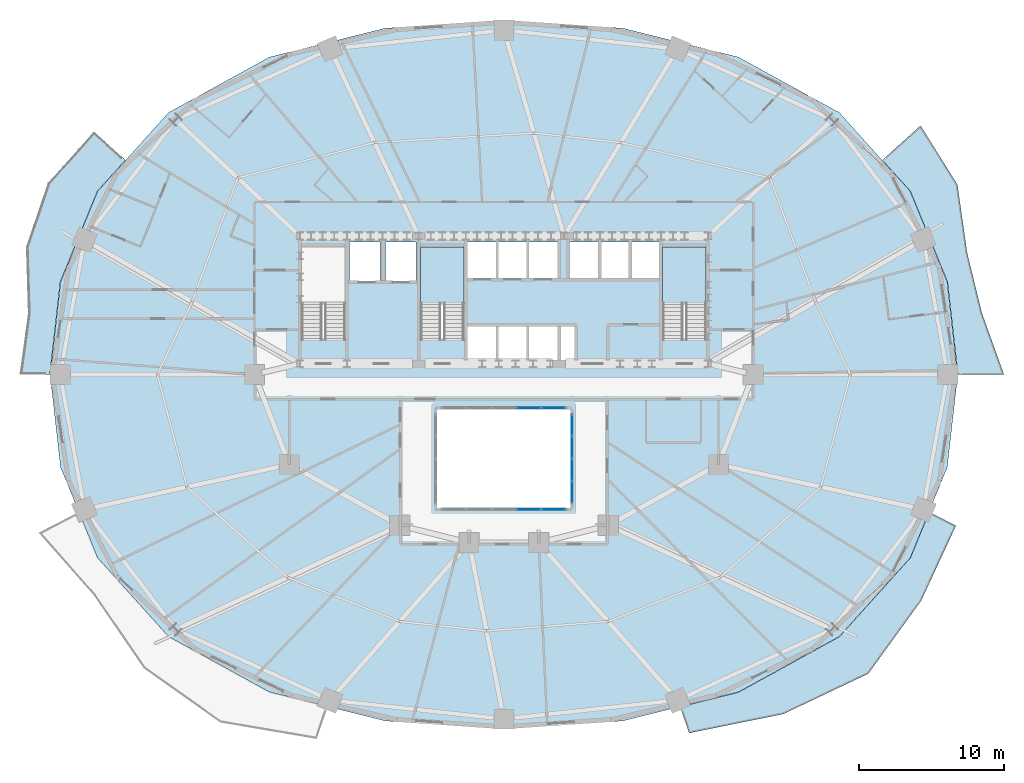
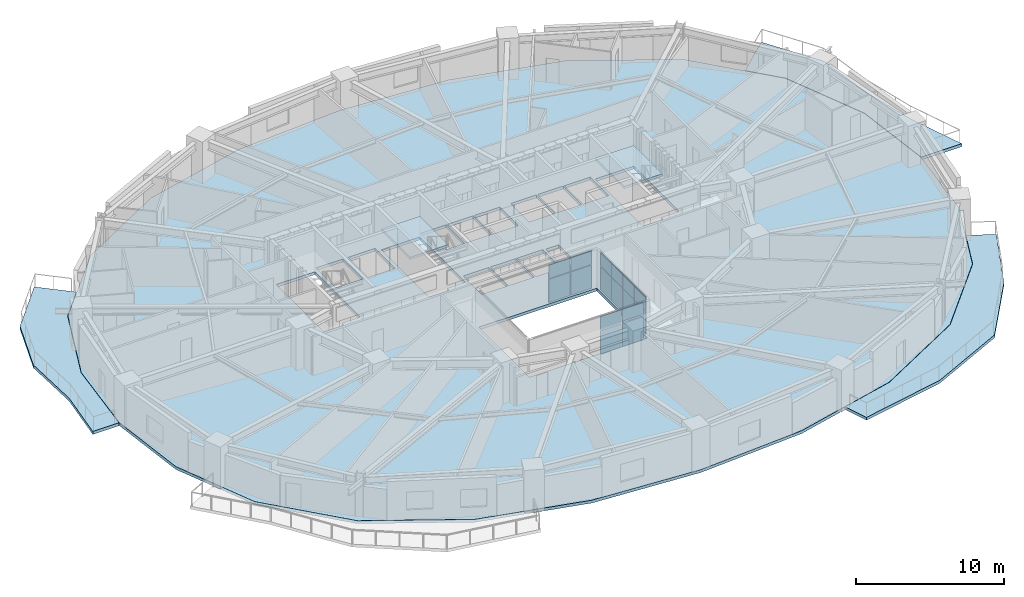
# One storey, part 8 of 17: 16 plates, 6 slabs, 5 elements without a shape of their own.
"""IFC4 building model written with IfcOpenShell, lengths in metres."""

from ifc_helpers import new_model, si_unit, direction, frame, origin, origin_2d, place, context, subcontext, project, spatial, polyline, rectangle, outline, extrude, material, layer, layer_set, type_object, element, aggregate, save


model = new_model("IFC4")

# Units and contexts
model_context = context("Model", 3, precision=1e-05, world=origin(), true_north=direction((0.0, 1.0)))
body_context = subcontext(model_context, "Body", "Model", "MODEL_VIEW")
ifc_project = project(units=[si_unit("LENGTHUNIT", "METRE"), si_unit("AREAUNIT", "SQUARE_METRE"), si_unit("VOLUMEUNIT", "CUBIC_METRE"), si_unit("PLANEANGLEUNIT", "RADIAN"), si_unit("MASSUNIT", "GRAM", prefix="KILO")], contexts=[model_context])

# Site, building, storey
site_placement = place(None, origin())
site = spatial("IfcSite", under=ifc_project, at=site_placement, CompositionType="ELEMENT")
building_placement = place(site_placement, origin())
building = spatial("IfcBuilding", under=site, at=building_placement, Name="Haldorwick Loom Tower", CompositionType="ELEMENT")
storey_placement = place(building_placement, frame((0.0, 0.0, 30.89990234375)))
storey = spatial("IfcBuildingStorey", under=building, at=storey_placement, Name="L07", CompositionType="ELEMENT", Elevation=30.89990234375)

# Curtain wall, plates
ifc_material_1 = material(Name="Thermally Broken Anodized Aluminium Curtain Wall Framing", Category="aluminium")
curtain_wall_type = type_object("IfcCurtainWallType", Name="ARC-CW-03", PredefinedType="NOTDEFINED", material=ifc_material_1)
curtain_wall_1_placement = place(storey_placement, origin())
curtain_wall_1 = element("IfcCurtainWall", 1, at=curtain_wall_1_placement, inside=storey, type_object=curtain_wall_type, Name="L07 Atrium Glazed Screen S", PredefinedType="NOTDEFINED")
ifc_material_2 = material(Name="Triple-Glazed Low-E Argon Insulated Glazing Unit", Category="glass")
ifc_layer_1 = layer(ifc_material_2, 0.04296875, Name="Triple-Glazed Low-E Argon Insulated Glazing Unit", Category="glass")
ifc_layer_set_1 = layer_set([ifc_layer_1], Name="Triple-Glazed Low-E Argon Insulated Glazing Unit")
plate_type = type_object("IfcPlateType", Name="ARC-CWP-03", PredefinedType="CURTAIN_PANEL", material=ifc_layer_set_1)
plate_1_placement = place(storey_placement, frame((39.423583984375, 16.699951171875, 0.066162109375), z_axis=(0.0, 0.0, 1.0), x_axis=(-1.0, 0.0, 0.0)))
plate_1 = element("IfcPlate", 2, at=plate_1_placement, type_object=plate_type, Name="CW-03 panel 1.1", PredefinedType="CURTAIN_PANEL", context=body_context, shape_type="SweptSolid", body=[
    extrude(rectangle(XDim=1.62109375, YDim=0.04296875, at=origin_2d()), origin(), (0.0, 0.0, 1.0), 1.90087890625),
])
plate_2_placement = place(storey_placement, frame((39.423583984375, 16.699951171875, 2.033203125), z_axis=(0.0, 0.0, 1.0), x_axis=(-1.0, 0.0, 0.0)))
plate_2 = element("IfcPlate", 3, at=plate_2_placement, type_object=plate_type, Name="CW-03 panel 1.2", PredefinedType="CURTAIN_PANEL", context=body_context, shape_type="SweptSolid", body=[
    extrude(rectangle(XDim=1.62109375, YDim=0.04296875, at=origin_2d()), origin(), (0.0, 0.0, 1.0), 1.111083984375),
])
plate_3_placement = place(storey_placement, frame((37.719970703125, 16.699951171875, 0.066162109375), z_axis=(0.0, 0.0, 1.0), x_axis=(-1.0, 0.0, 0.0)))
plate_3 = element("IfcPlate", 4, at=plate_3_placement, type_object=plate_type, Name="CW-03 panel 2.1", PredefinedType="CURTAIN_PANEL", context=body_context, shape_type="SweptSolid", body=[
    extrude(rectangle(XDim=1.654052734375, YDim=0.04296875, at=origin_2d()), origin(), (0.0, 0.0, 1.0), 1.90087890625),
])
plate_4_placement = place(storey_placement, frame((37.719970703125, 16.699951171875, 2.033203125), z_axis=(0.0, 0.0, 1.0), x_axis=(-1.0, 0.0, 0.0)))
plate_4 = element("IfcPlate", 5, at=plate_4_placement, type_object=plate_type, Name="CW-03 panel 2.2", PredefinedType="CURTAIN_PANEL", context=body_context, shape_type="SweptSolid", body=[
    extrude(rectangle(XDim=1.654052734375, YDim=0.04296875, at=origin_2d()), origin(), (0.0, 0.0, 1.0), 1.111083984375),
])
aggregate(curtain_wall_1, [plate_1, plate_2, plate_3, plate_4])

curtain_wall_2_placement = place(storey_placement, origin())
curtain_wall_2 = element("IfcCurtainWall", 6, at=curtain_wall_2_placement, inside=storey, type_object=curtain_wall_type, Name="L07 Atrium Glazed Screen N", PredefinedType="NOTDEFINED")
plate_5_placement = place(storey_placement, frame((37.719970703125, 23.699951171875, 0.066162109375), z_axis=(0.0, 0.0, 1.0), x_axis=(1.0, 0.0, 0.0)))
plate_5 = element("IfcPlate", 7, at=plate_5_placement, type_object=plate_type, Name="CW-03 panel 4.1", PredefinedType="CURTAIN_PANEL", context=body_context, shape_type="SweptSolid", body=[
    extrude(rectangle(XDim=1.654052734375, YDim=0.04296875, at=origin_2d()), origin(), (0.0, 0.0, 1.0), 1.90087890625),
])
plate_6_placement = place(storey_placement, frame((37.719970703125, 23.699951171875, 2.033203125), z_axis=(0.0, 0.0, 1.0), x_axis=(1.0, 0.0, 0.0)))
plate_6 = element("IfcPlate", 8, at=plate_6_placement, type_object=plate_type, Name="CW-03 panel 4.2", PredefinedType="CURTAIN_PANEL", context=body_context, shape_type="SweptSolid", body=[
    extrude(rectangle(XDim=1.654052734375, YDim=0.04296875, at=origin_2d()), origin(), (0.0, 0.0, 1.0), 1.111083984375),
])
plate_7_placement = place(storey_placement, frame((39.423583984375, 23.699951171875, 0.066162109375), z_axis=(0.0, 0.0, 1.0), x_axis=(1.0, 0.0, 0.0)))
plate_7 = element("IfcPlate", 9, at=plate_7_placement, type_object=plate_type, Name="CW-03 panel 5.1", PredefinedType="CURTAIN_PANEL", context=body_context, shape_type="SweptSolid", body=[
    extrude(rectangle(XDim=1.62109375, YDim=0.04296875, at=origin_2d()), origin(), (0.0, 0.0, 1.0), 1.90087890625),
])
plate_8_placement = place(storey_placement, frame((39.423583984375, 23.699951171875, 2.033203125), z_axis=(0.0, 0.0, 1.0), x_axis=(1.0, 0.0, 0.0)))
plate_8 = element("IfcPlate", 10, at=plate_8_placement, type_object=plate_type, Name="CW-03 panel 5.2", PredefinedType="CURTAIN_PANEL", context=body_context, shape_type="SweptSolid", body=[
    extrude(rectangle(XDim=1.62109375, YDim=0.04296875, at=origin_2d()), origin(), (0.0, 0.0, 1.0), 1.111083984375),
])
aggregate(curtain_wall_2, [plate_5, plate_6, plate_7, plate_8])

curtain_wall_3_placement = place(storey_placement, origin())
curtain_wall_3 = element("IfcCurtainWall", 11, at=curtain_wall_3_placement, inside=storey, type_object=curtain_wall_type, Name="L07 Atrium Glazed Screen E", PredefinedType="NOTDEFINED")
plate_9_placement = place(storey_placement, frame((40.699951171875, 22.508544921875, 0.066162109375), z_axis=(0.0, 0.0, 1.0), x_axis=(0.0, -1.0, 0.0)))
plate_9 = element("IfcPlate", 12, at=plate_9_placement, type_object=plate_type, Name="CW-03 panel 1.1", PredefinedType="CURTAIN_PANEL", context=body_context, shape_type="SweptSolid", body=[
    extrude(rectangle(XDim=1.450927734375, YDim=0.04296875, at=origin_2d()), origin(), (0.0, 0.0, 1.0), 1.90087890625),
])
plate_10_placement = place(storey_placement, frame((40.699951171875, 22.508544921875, 2.033203125), z_axis=(0.0, 0.0, 1.0), x_axis=(0.0, -1.0, 0.0)))
plate_10 = element("IfcPlate", 13, at=plate_10_placement, type_object=plate_type, Name="CW-03 panel 1.2", PredefinedType="CURTAIN_PANEL", context=body_context, shape_type="SweptSolid", body=[
    extrude(rectangle(XDim=1.450927734375, YDim=0.04296875, at=origin_2d()), origin(), (0.0, 0.0, 1.0), 1.111083984375),
])
plate_11_placement = place(storey_placement, frame((40.699951171875, 20.97509765625, 0.066162109375), z_axis=(0.0, 0.0, 1.0), x_axis=(0.0, -1.0, 0.0)))
plate_11 = element("IfcPlate", 14, at=plate_11_placement, type_object=plate_type, Name="CW-03 panel 2.1", PredefinedType="CURTAIN_PANEL", context=body_context, shape_type="SweptSolid", body=[
    extrude(rectangle(XDim=1.48388671875, YDim=0.04296875, at=origin_2d()), origin(), (0.0, 0.0, 1.0), 1.90087890625),
])
plate_12_placement = place(storey_placement, frame((40.699951171875, 20.97509765625, 2.033203125), z_axis=(0.0, 0.0, 1.0), x_axis=(0.0, -1.0, 0.0)))
plate_12 = element("IfcPlate", 15, at=plate_12_placement, type_object=plate_type, Name="CW-03 panel 2.2", PredefinedType="CURTAIN_PANEL", context=body_context, shape_type="SweptSolid", body=[
    extrude(rectangle(XDim=1.48388671875, YDim=0.04296875, at=origin_2d()), origin(), (0.0, 0.0, 1.0), 1.111083984375),
])
plate_13_placement = place(storey_placement, frame((40.699951171875, 19.425048828125, 0.066162109375), z_axis=(0.0, 0.0, 1.0), x_axis=(0.0, -1.0, 0.0)))
plate_13 = element("IfcPlate", 16, at=plate_13_placement, type_object=plate_type, Name="CW-03 panel 3.1", PredefinedType="CURTAIN_PANEL", context=body_context, shape_type="SweptSolid", body=[
    extrude(rectangle(XDim=1.48388671875, YDim=0.04296875, at=origin_2d()), origin(), (0.0, 0.0, 1.0), 1.90087890625),
])
plate_14_placement = place(storey_placement, frame((40.699951171875, 19.425048828125, 2.033203125), z_axis=(0.0, 0.0, 1.0), x_axis=(0.0, -1.0, 0.0)))
plate_14 = element("IfcPlate", 17, at=plate_14_placement, type_object=plate_type, Name="CW-03 panel 3.2", PredefinedType="CURTAIN_PANEL", context=body_context, shape_type="SweptSolid", body=[
    extrude(rectangle(XDim=1.48388671875, YDim=0.04296875, at=origin_2d()), origin(), (0.0, 0.0, 1.0), 1.111083984375),
])
plate_15_placement = place(storey_placement, frame((40.699951171875, 17.8916015625, 0.066162109375), z_axis=(0.0, 0.0, 1.0), x_axis=(0.0, -1.0, 0.0)))
plate_15 = element("IfcPlate", 18, at=plate_15_placement, type_object=plate_type, Name="CW-03 panel 4.1", PredefinedType="CURTAIN_PANEL", context=body_context, shape_type="SweptSolid", body=[
    extrude(rectangle(XDim=1.450927734375, YDim=0.04296875, at=origin_2d()), origin(), (0.0, 0.0, 1.0), 1.90087890625),
])
plate_16_placement = place(storey_placement, frame((40.699951171875, 17.8916015625, 2.033203125), z_axis=(0.0, 0.0, 1.0), x_axis=(0.0, -1.0, 0.0)))
plate_16 = element("IfcPlate", 19, at=plate_16_placement, type_object=plate_type, Name="CW-03 panel 4.2", PredefinedType="CURTAIN_PANEL", context=body_context, shape_type="SweptSolid", body=[
    extrude(rectangle(XDim=1.450927734375, YDim=0.04296875, at=origin_2d()), origin(), (0.0, 0.0, 1.0), 1.111083984375),
])
aggregate(curtain_wall_3, [plate_9, plate_10, plate_11, plate_12, plate_13, plate_14, plate_15, plate_16])

# Slabs
ifc_material_3 = material(Name="Concrete C40 (40 MPa)", Category="concrete")
ifc_layer_2 = layer(ifc_material_3, 0.239990234375, Name="Concrete C40 (40 MPa)", Category="concrete")
ifc_layer_set_2 = layer_set([ifc_layer_2], Name="Concrete C40 (40 MPa)")
slab_type_1 = type_object("IfcSlabType", Name="STR-SLB-BAL240", PredefinedType="FLOOR", material=ifc_layer_set_2)
slab_1_placement = place(storey_placement, frame((0.0, 0.0, -0.239990234375)))
element("IfcSlab", 20, at=slab_1_placement, inside=storey, type_object=slab_type_1, Name="L07 Sinusoidal Balcony Terrace BAL_SE", PredefinedType="FLOOR", context=body_context, shape_type="SweptSolid", body=[
    extrude(outline(polyline([(65.32470703125, 16.51806640625), (64.031494140625, 13.356689453125), (64.031005859375, 13.355712890625), (64.030517578125, 13.3544921875), (64.02978515625, 13.353515625), (64.02880859375, 13.3525390625), (59.13623046875, 7.92333984375), (59.13525390625, 7.922119140625), (59.1337890625, 7.921142578125), (59.13232421875, 7.92041015625), (52.18310546875, 4.09814453125), (52.18212890625, 4.097412109375), (52.180908203125, 4.096923828125), (52.1796875, 4.0966796875), (48.1533203125, 3.09130859375), (48.771240234375, 1.279541015625), (55.254638671875, 2.591552734375), (61.126220703125, 5.372314453125), (64.769775390625, 10.39892578125), (67.172119140625, 15.580322265625), (65.32470703125, 16.51806640625)])), origin(), (0.0, 0.0, 1.0), 0.239990234375),
])
slab_2_placement = place(storey_placement, frame((0.0, 0.0, -0.239990234375)))
element("IfcSlab", 21, at=slab_2_placement, inside=storey, type_object=slab_type_1, Name="L07 Sinusoidal Balcony Terrace BAL_WNW", PredefinedType="FLOOR", context=body_context, shape_type="SweptSolid", body=[
    extrude(outline(polyline([(4.68896484375, 26.0), (4.689208984375, 26.001708984375), (5.41552734375, 32.40087890625), (5.415771484375, 32.40234375), (5.416015625, 32.40380859375), (5.41650390625, 32.405029296875), (7.968505859375, 38.643310546875), (7.968994140625, 38.644287109375), (7.969482421875, 38.6455078125), (7.97021484375, 38.646484375), (7.97119140625, 38.6474609375), (9.9013671875, 40.78955078125), (7.724853515625, 42.747314453125), (4.57177734375, 39.202392578125), (3.07373046875, 34.795654296875), (3.20849609375, 30.195556640625), (2.63232421875, 26.0), (4.68896484375, 26.0)])), origin(), (0.0, 0.0, 1.0), 0.239990234375),
])
slab_3_placement = place(storey_placement, frame((0.0, 0.0, -0.239990234375)))
element("IfcSlab", 22, at=slab_3_placement, inside=storey, type_object=slab_type_1, Name="L07 Sinusoidal Balcony Terrace BAL_ENE", PredefinedType="FLOOR", context=body_context, shape_type="SweptSolid", body=[
    extrude(outline(polyline([(62.098388671875, 40.789794921875), (64.02880859375, 38.6474609375), (64.02978515625, 38.646484375), (64.030517578125, 38.6455078125), (64.031005859375, 38.644287109375), (64.031494140625, 38.643310546875), (66.58349609375, 32.405029296875), (66.583984375, 32.40380859375), (66.584228515625, 32.40234375), (66.58447265625, 32.40087890625), (67.310791015625, 26.001708984375), (67.31103515625, 26.0), (70.484375, 26.0), (68.962646484375, 30.230224609375), (67.945556640625, 34.3876953125), (67.270263671875, 39.09912109375), (64.729248046875, 43.16943359375), (62.098388671875, 40.789794921875)])), origin(), (0.0, 0.0, 1.0), 0.239990234375),
])

# Stair, slab
stair_type = type_object("IfcStairType", Name="STR-STR-CORE", PredefinedType="HALF_TURN_STAIR", material=ifc_material_3)
stair_1_placement = place(storey_placement, origin())
stair_1 = element("IfcStair", 23, at=stair_1_placement, inside=storey, type_object=stair_type, Name="L07 Exit Stair ST-02", PredefinedType="HALF_TURN_STAIR")
ifc_layer_3 = layer(ifc_material_3, 0.199951171875, Name="Concrete C40 (40 MPa)", Category="concrete")
ifc_layer_set_3 = layer_set([ifc_layer_3], Name="Concrete C40 (40 MPa)")
slab_type_2 = type_object("IfcSlabType", Name="STR-SLB-LAND200", PredefinedType="LANDING", material=ifc_layer_set_3)
slab_4_placement = place(storey_placement, frame((0.0, 0.0, 1.525146484375)))
slab_4 = element("IfcSlab", 24, at=slab_4_placement, type_object=slab_type_2, Name="ST-02 landing 1", PredefinedType="LANDING", context=body_context, shape_type="SweptSolid", body=[
    extrude(outline(polyline([(49.949951171875, 30.919921875), (49.949951171875, 34.800048828125), (46.949951171875, 34.800048828125), (46.949951171875, 30.919921875), (49.949951171875, 30.919921875)])), origin(), (0.0, 0.0, 1.0), 0.199951171875),
])
aggregate(stair_1, [slab_4])

stair_2_placement = place(storey_placement, origin())
stair_2 = element("IfcStair", 25, at=stair_2_placement, inside=storey, type_object=stair_type, Name="L07 Exit Stair ST-03", PredefinedType="HALF_TURN_STAIR")
slab_5_placement = place(storey_placement, frame((0.0, 0.0, 1.525146484375)))
slab_5 = element("IfcSlab", 26, at=slab_5_placement, type_object=slab_type_2, Name="ST-03 landing 1", PredefinedType="LANDING", context=body_context, shape_type="SweptSolid", body=[
    extrude(outline(polyline([(33.25, 30.919921875), (33.25, 34.800048828125), (30.25, 34.800048828125), (30.25, 30.919921875), (33.25, 30.919921875)])), origin(), (0.0, 0.0, 1.0), 0.199951171875),
])
aggregate(stair_2, [slab_5])

# Slab
ifc_layer_4 = layer(ifc_material_3, 0.239990234375, Name="Concrete C40 (40 MPa)", Category="concrete")
ifc_layer_set_4 = layer_set([ifc_layer_4], Name="Concrete C40 (40 MPa)")
slab_type_3 = type_object("IfcSlabType", Name="STR-SLB-RES240", PredefinedType="FLOOR", material=ifc_layer_set_4)
slab_6_placement = place(storey_placement, frame((0.0, 0.0, -0.239990234375)))
element("IfcSlab", 27, at=slab_6_placement, inside=storey, type_object=slab_type_3, Name="L07 Residential Structural Floor Slab", PredefinedType="FLOOR", context=body_context, shape_type="SweptSolid", body=[
    extrude(outline(polyline([(59.125244140625, 7.933349609375), (64.017578125, 13.362548828125), (66.569580078125, 19.6005859375), (67.2958984375, 26.0), (66.569580078125, 32.3994140625), (64.017578125, 38.637451171875), (59.125244140625, 44.066650390625), (52.176025390625, 47.888916015625), (44.191162109375, 49.882568359375), (36.0, 50.449951171875), (27.808837890625, 49.882568359375), (19.823974609375, 47.888916015625), (12.874755859375, 44.066650390625), (7.982421875, 38.637451171875), (5.430419921875, 32.3994140625), (4.7041015625, 26.0), (5.430419921875, 19.6005859375), (7.982421875, 13.362548828125), (12.874755859375, 7.933349609375), (19.823974609375, 4.111083984375), (27.808837890625, 2.117431640625), (36.0, 1.550048828125), (44.191162109375, 2.117431640625), (52.176025390625, 4.111083984375), (59.125244140625, 7.933349609375)]), holes=[polyline([(31.39990234375, 23.60009765625), (40.60009765625, 23.60009765625), (40.60009765625, 16.800048828125), (31.39990234375, 16.800048828125), (31.39990234375, 23.60009765625)]), polyline([(33.5, 26.85009765625), (33.5, 29.35009765625), (35.5, 29.35009765625), (35.5, 26.85009765625), (33.5, 26.85009765625)]), polyline([(22.050048828125, 28.39990234375), (22.050048828125, 34.800048828125), (25.050048828125, 34.800048828125), (25.050048828125, 28.639892578125), (23.6201171875, 28.639892578125), (23.6201171875, 28.39990234375), (22.050048828125, 28.39990234375)]), polyline([(30.25, 28.39990234375), (30.25, 34.800048828125), (33.25, 34.800048828125), (33.25, 28.639892578125), (31.820068359375, 28.639892578125), (31.820068359375, 28.39990234375), (30.25, 28.39990234375)]), polyline([(25.35009765625, 32.449951171875), (25.35009765625, 35.14990234375), (27.449951171875, 35.14990234375), (27.449951171875, 32.449951171875), (25.35009765625, 32.449951171875)]), polyline([(27.85009765625, 32.449951171875), (27.85009765625, 35.14990234375), (29.949951171875, 35.14990234375), (29.949951171875, 32.449951171875), (27.85009765625, 32.449951171875)]), polyline([(33.5, 32.64990234375), (33.5, 35.14990234375), (35.5, 35.14990234375), (35.5, 32.64990234375), (33.5, 32.64990234375)]), polyline([(35.60009765625, 32.64990234375), (35.60009765625, 35.14990234375), (37.60009765625, 35.14990234375), (37.60009765625, 32.64990234375), (35.60009765625, 32.64990234375)]), polyline([(35.60009765625, 26.85009765625), (35.60009765625, 29.35009765625), (37.60009765625, 29.35009765625), (37.60009765625, 26.85009765625), (35.60009765625, 26.85009765625)]), polyline([(37.699951171875, 26.85009765625), (37.699951171875, 29.35009765625), (39.699951171875, 29.35009765625), (39.699951171875, 26.85009765625), (37.699951171875, 26.85009765625)]), polyline([(39.89990234375, 26.89990234375), (39.89990234375, 29.300048828125), (40.89990234375, 29.300048828125), (40.89990234375, 26.89990234375), (39.89990234375, 26.89990234375)]), polyline([(46.949951171875, 28.39990234375), (46.949951171875, 34.800048828125), (49.949951171875, 34.800048828125), (49.949951171875, 28.639892578125), (48.52001953125, 28.639892578125), (48.52001953125, 28.39990234375), (46.949951171875, 28.39990234375)]), polyline([(37.699951171875, 32.64990234375), (37.699951171875, 35.14990234375), (39.699951171875, 35.14990234375), (39.699951171875, 32.64990234375), (37.699951171875, 32.64990234375)]), polyline([(40.550048828125, 32.64990234375), (40.550048828125, 35.14990234375), (42.550048828125, 35.14990234375), (42.550048828125, 32.64990234375), (40.550048828125, 32.64990234375)]), polyline([(42.64990234375, 32.64990234375), (42.64990234375, 35.14990234375), (44.64990234375, 35.14990234375), (44.64990234375, 32.64990234375), (42.64990234375, 32.64990234375)]), polyline([(44.75, 32.64990234375), (44.75, 35.14990234375), (46.75, 35.14990234375), (46.75, 32.64990234375), (44.75, 32.64990234375)])]), origin(), (0.0, 0.0, 1.0), 0.239990234375),
])

save(model, "model.ifc")
